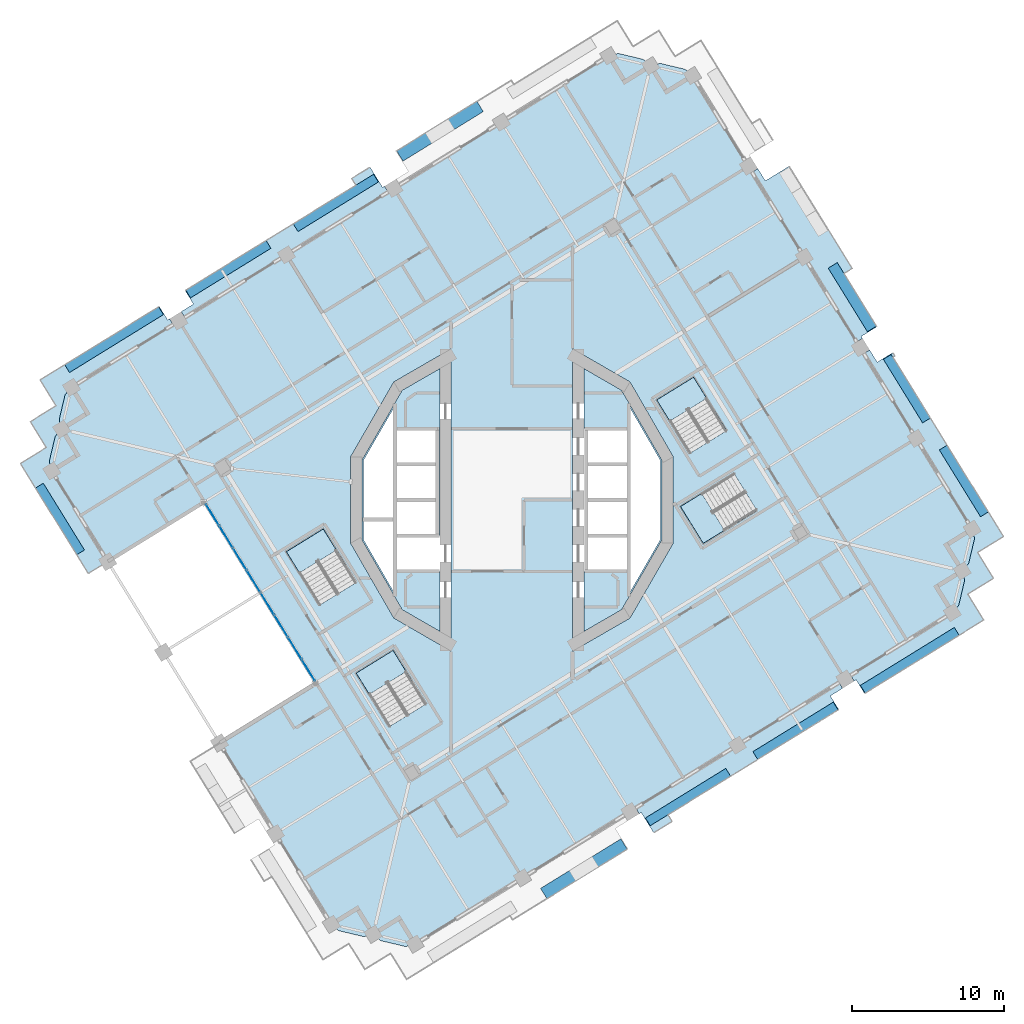
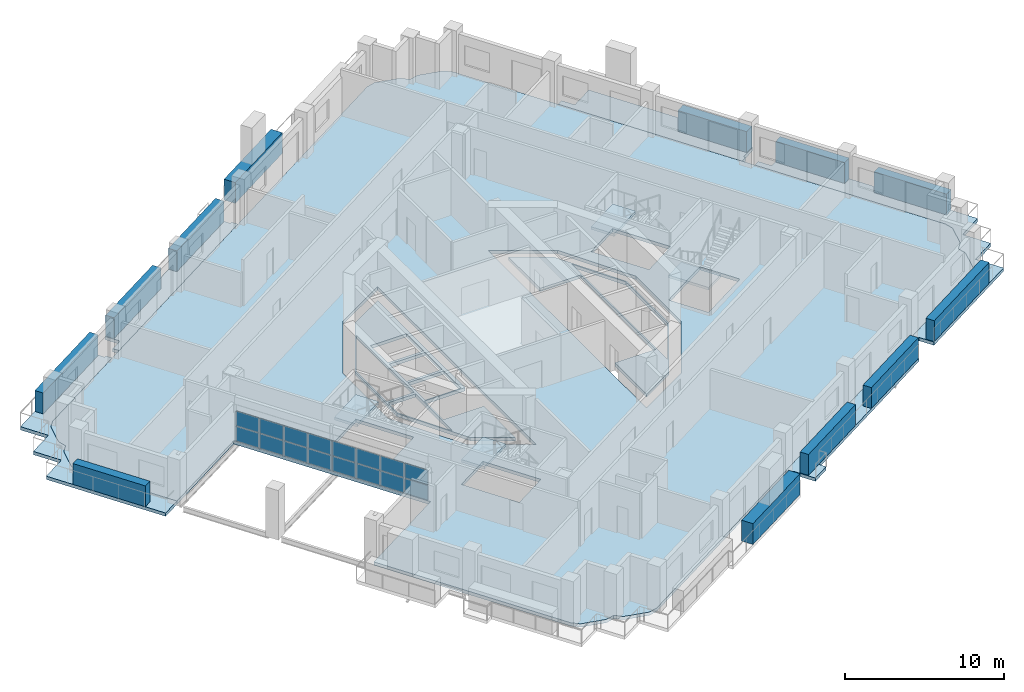
# One storey, part 4 of 20: 28 plates, 12 slabs, 5 elements without a shape of their own.
"""IFC4 building model written with IfcOpenShell, lengths in metres."""

from ifc_helpers import new_model, si_unit, direction, frame, origin, origin_2d, place, context, subcontext, project, spatial, polyline, rectangle, outline, extrude, material, layer, layer_set, type_object, element, aggregate, save


model = new_model("IFC4")

# Units and contexts
model_context = context("Model", 3, precision=1e-05, world=origin(), true_north=direction((0.0, 1.0)))
body_context = subcontext(model_context, "Body", "Model", "MODEL_VIEW")
ifc_project = project(units=[si_unit("LENGTHUNIT", "METRE"), si_unit("AREAUNIT", "SQUARE_METRE"), si_unit("VOLUMEUNIT", "CUBIC_METRE"), si_unit("PLANEANGLEUNIT", "RADIAN"), si_unit("MASSUNIT", "GRAM", prefix="KILO")], contexts=[model_context])

# Site, building, storey
site_placement = place(None, origin())
site = spatial("IfcSite", under=ifc_project, at=site_placement, CompositionType="ELEMENT")
building_placement = place(site_placement, origin())
building = spatial("IfcBuilding", under=site, at=building_placement, Name="Cantera Rosa Tower", CompositionType="ELEMENT")
storey_placement = place(building_placement, frame((0.0, 0.0, 151.39990234375)))
storey = spatial("IfcBuildingStorey", under=building, at=storey_placement, Name="L32", CompositionType="ELEMENT", Elevation=151.39990234375)

# Slabs
ifc_material_1 = material(Name="Concrete C35/45", Category="concrete")
ifc_layer_1 = layer(ifc_material_1, 0.25)
ifc_layer_set_1 = layer_set([ifc_layer_1], Name="COMPOSITE FLOOR SLAB 250 C35/45")
slab_type_1 = type_object("IfcSlabType", Name="COMPOSITE FLOOR SLAB 250 C35/45", PredefinedType="FLOOR", material=ifc_layer_set_1)
slab_1_placement = place(storey_placement, frame((0.0, 0.0, -0.25)))
element("IfcSlab", 1, at=slab_1_placement, inside=storey, type_object=slab_type_1, Name="SLAB L32 floor 1", PredefinedType="FLOOR", context=body_context, shape_type="SweptSolid", body=[
    extrude(outline(polyline([(-7.22900390625, 7.22900390625), (-4.75, 8.660400390625), (-4.75, -2.35009765625), (-7.699951171875, -2.35009765625), (-7.699951171875, -4.699951171875), (-4.75, -4.699951171875), (-4.75, -8.660400390625), (-7.22900390625, -7.22900390625), (-9.875244140625, -2.64599609375), (-9.875244140625, 2.64599609375), (-7.22900390625, 7.22900390625)]), holes=[polyline([(-7.800048828125, -1.3828125), (-9.775146484375, -1.3828125), (-9.775146484375, -2.619384765625), (-7.800048828125, -6.040283203125), (-7.800048828125, -1.3828125)]), polyline([(-7.60009765625, -0.10009765625), (-7.60009765625, -2.25), (-5.0, -2.25), (-5.0, -0.10009765625), (-7.60009765625, -0.10009765625)]), polyline([(-7.60009765625, 2.25), (-7.60009765625, 0.10009765625), (-5.0, 0.10009765625), (-5.0, 2.25), (-7.60009765625, 2.25)]), polyline([(-7.800048828125, -1.1826171875), (-7.800048828125, 6.040283203125), (-9.775146484375, 2.619384765625), (-9.775146484375, -1.1826171875), (-7.800048828125, -1.1826171875)]), polyline([(-5.0, 4.60009765625), (-7.60009765625, 4.60009765625), (-7.60009765625, 2.449951171875), (-5.0, 2.449951171875), (-5.0, 4.60009765625)])]), origin(), (0.0, 0.0, 1.0), 0.25),
])
slab_2_placement = place(storey_placement, frame((0.0, 0.0, -0.25)))
element("IfcSlab", 2, at=slab_2_placement, inside=storey, type_object=slab_type_1, Name="SLAB L32 floor 2", PredefinedType="FLOOR", context=body_context, shape_type="SweptSolid", body=[
    extrude(outline(polyline([(-8.647705078125, -29.0283203125), (-8.673828125, -29.014892578125), (-8.698486328125, -28.998779296875), (-8.721435546875, -28.98046875), (-9.14208984375, -28.60888671875), (-9.684814453125, -28.752197265625), (-9.713623046875, -28.75830078125), (-9.742919921875, -28.761474609375), (-9.772216796875, -28.76171875), (-9.801513671875, -28.75927734375), (-9.83056640625, -28.75390625), (-11.34423828125, -28.395263671875), (-11.37255859375, -28.386962890625), (-11.39990234375, -28.376220703125), (-11.426025390625, -28.362548828125), (-11.45068359375, -28.346435546875), (-11.4736328125, -28.328125), (-11.894287109375, -27.95654296875), (-12.408935546875, -27.122314453125), (-19.264892578125, -16.0068359375), (-12.881591796875, -12.069580078125), (-20.252197265625, -0.119873046875), (-26.6357421875, -4.05712890625), (-30.321044921875, 1.917724609375), (-30.46435546875, 2.460205078125), (-30.470458984375, 2.489013671875), (-30.4736328125, 2.518310546875), (-30.47412109375, 2.5478515625), (-30.4716796875, 2.5771484375), (-30.46630859375, 2.606201171875), (-30.107421875, 4.119873046875), (-30.09912109375, 4.148193359375), (-30.08837890625, 4.17529296875), (-30.07470703125, 4.20166015625), (-30.05859375, 4.226318359375), (-30.040283203125, 4.249267578125), (-29.668701171875, 4.669921875), (-29.81201171875, 5.21240234375), (-29.818115234375, 5.2412109375), (-29.8212890625, 5.2705078125), (-29.82177734375, 5.300048828125), (-29.8193359375, 5.329345703125), (-29.81396484375, 5.3583984375), (-29.455078125, 6.8720703125), (-29.447021484375, 6.900390625), (-29.43603515625, 6.927490234375), (-29.422607421875, 6.953857421875), (-29.406494140625, 6.978515625), (-29.38818359375, 7.00146484375), (-29.0166015625, 7.422119140625), (6.389892578125, 29.260986328125), (6.9326171875, 29.404296875), (6.96142578125, 29.410400390625), (6.99072265625, 29.413818359375), (7.02001953125, 29.4140625), (7.049560546875, 29.41162109375), (7.078369140625, 29.40625), (8.592041015625, 29.047607421875), (8.620361328125, 29.039306640625), (8.647705078125, 29.0283203125), (8.673828125, 29.014892578125), (8.698486328125, 28.998779296875), (8.721435546875, 28.98046875), (9.14208984375, 28.60888671875), (9.684814453125, 28.752197265625), (9.713623046875, 28.75830078125), (9.742919921875, 28.761474609375), (9.772216796875, 28.76171875), (9.801513671875, 28.75927734375), (9.83056640625, 28.75390625), (11.34423828125, 28.395263671875), (11.37255859375, 28.386962890625), (11.39990234375, 28.376220703125), (11.426025390625, 28.362548828125), (11.45068359375, 28.346435546875), (11.4736328125, 28.328125), (11.894287109375, 27.95654296875), (30.321044921875, -1.917724609375), (30.46435546875, -2.460205078125), (30.470458984375, -2.489013671875), (30.4736328125, -2.518310546875), (30.47412109375, -2.5478515625), (30.4716796875, -2.5771484375), (30.46630859375, -2.606201171875), (30.107421875, -4.119873046875), (30.09912109375, -4.148193359375), (30.08837890625, -4.17529296875), (30.07470703125, -4.20166015625), (30.05859375, -4.226318359375), (30.040283203125, -4.249267578125), (29.668701171875, -4.669921875), (29.81201171875, -5.21240234375), (29.818115234375, -5.2412109375), (29.8212890625, -5.2705078125), (29.82177734375, -5.300048828125), (29.8193359375, -5.329345703125), (29.81396484375, -5.3583984375), (29.455078125, -6.8720703125), (29.447021484375, -6.900390625), (29.43603515625, -6.927490234375), (29.422607421875, -6.953857421875), (29.406494140625, -6.978515625), (29.38818359375, -7.00146484375), (29.0166015625, -7.422119140625), (28.18212890625, -7.9365234375), (-6.389892578125, -29.260986328125), (-6.9326171875, -29.404296875), (-6.96142578125, -29.410400390625), (-6.99072265625, -29.413818359375), (-7.02001953125, -29.4140625), (-7.049560546875, -29.41162109375), (-7.078369140625, -29.40625), (-8.592041015625, -29.047607421875), (-8.620361328125, -29.039306640625), (-8.647705078125, -29.0283203125)]), holes=[polyline([(-5.658447265625, -13.433349609375), (-7.830810546875, -9.911376953125), (-10.256591796875, -11.407470703125), (-8.084228515625, -14.929443359375), (-5.658447265625, -13.433349609375)]), polyline([(-10.258544921875, -5.433349609375), (-12.430908203125, -1.911376953125), (-14.8564453125, -3.407470703125), (-12.68408203125, -6.929443359375), (-10.258544921875, -5.433349609375)]), polyline([(-7.7783203125, 7.7783203125), (-10.625244140625, 2.846923828125), (-10.625244140625, -2.846923828125), (-7.7783203125, -7.7783203125), (-4.0, -9.95947265625), (-4.0, 9.95947265625), (-7.7783203125, 7.7783203125)]), polyline([(14.63330078125, 1.741455078125), (11.111328125, -0.430908203125), (12.607421875, -2.8564453125), (16.12939453125, -0.68408203125), (14.63330078125, 1.741455078125)]), polyline([(7.7783203125, -7.7783203125), (10.625244140625, -2.846923828125), (10.625244140625, 2.846923828125), (7.7783203125, 7.7783203125), (4.0, 9.95947265625), (4.0, -9.95947265625), (7.7783203125, -7.7783203125)]), polyline([(11.7158203125, 3.070556640625), (14.1416015625, 4.566650390625), (11.96923828125, 8.088623046875), (9.54345703125, 6.592529296875), (11.7158203125, 3.070556640625)])]), origin(), (0.0, 0.0, 1.0), 0.25),
])
slab_3_placement = place(storey_placement, frame((0.0, 0.0, -0.25)))
element("IfcSlab", 3, at=slab_3_placement, inside=storey, type_object=slab_type_1, Name="SLAB L32 floor 3", PredefinedType="FLOOR", context=body_context, shape_type="SweptSolid", body=[
    extrude(outline(polyline([(7.699951171875, 0.0), (7.699951171875, 2.35009765625), (7.699951171875, 4.699951171875), (4.75, 4.699951171875), (4.75, 8.660400390625), (7.22900390625, 7.22900390625), (9.875244140625, 2.64599609375), (9.875244140625, -2.64599609375), (7.22900390625, -7.22900390625), (4.75, -8.660400390625), (4.75, -4.699951171875), (7.699951171875, -4.699951171875), (7.699951171875, -2.35009765625), (7.699951171875, 0.0)]), holes=[polyline([(9.775146484375, 2.619384765625), (7.800048828125, 6.040283203125), (7.800048828125, 2.449951171875), (7.800048828125, 2.25), (7.800048828125, -2.25), (7.800048828125, -2.449951171875), (7.800048828125, -6.040283203125), (9.775146484375, -2.619384765625), (9.775146484375, 2.619384765625)])]), origin(), (0.0, 0.0, 1.0), 0.25),
])

# Curtain wall, plates
ifc_material_2 = material(Name="Aluminium frame with clear glass", Category="aluminium")
curtain_wall_type = type_object("IfcCurtainWallType", Name="CW1 TERRACE POCKET GLAZING", PredefinedType="NOTDEFINED", material=ifc_material_2)
curtain_wall_placement = place(storey_placement, origin())
curtain_wall = element("IfcCurtainWall", 4, at=curtain_wall_placement, inside=storey, type_object=curtain_wall_type, Name="CW1 CW1", PredefinedType="NOTDEFINED")
ifc_material_3 = material(Name="Aluminium frame with clear glass", Category="aluminium")
ifc_layer_2 = layer(ifc_material_3, 0.028076171875)
ifc_layer_set_2 = layer_set([ifc_layer_2], Name="CW-PANEL POCKET")
plate_type_1 = type_object("IfcPlateType", Name="CW-PANEL POCKET", PredefinedType="CURTAIN_PANEL", material=ifc_layer_set_2)
plate_1_placement = place(storey_placement, frame((-19.726318359375, -0.97265625, 0.06005859375), z_axis=(0.0, 0.0, 1.0), x_axis=(0.52497658034, -0.851116672434, 0.0)))
plate_1 = element("IfcPlate", 5, at=plate_1_placement, type_object=plate_type_1, Name="CW1 panel 1.1", PredefinedType="CURTAIN_PANEL", context=body_context, shape_type="SweptSolid", body=[
    extrude(rectangle(XDim=1.6337890625, YDim=0.028076171875, at=origin_2d()), origin(), (0.0, 0.0, 1.0), 1.115966796875),
])
plate_2_placement = place(storey_placement, frame((-19.726318359375, -0.97265625, 1.236328125), z_axis=(0.0, 0.0, 1.0), x_axis=(0.52497658034, -0.851116672434, 0.0)))
plate_2 = element("IfcPlate", 6, at=plate_2_placement, type_object=plate_type_1, Name="CW1 panel 1.2", PredefinedType="CURTAIN_PANEL", context=body_context, shape_type="SweptSolid", body=[
    extrude(rectangle(XDim=1.6337890625, YDim=0.028076171875, at=origin_2d()), origin(), (0.0, 0.0, 1.0), 1.115966796875),
])
plate_3_placement = place(storey_placement, frame((-18.829345703125, -2.427001953125, 0.06005859375), z_axis=(0.0, 0.0, 1.0), x_axis=(0.52497658034, -0.851116672434, 0.0)))
plate_3 = element("IfcPlate", 7, at=plate_3_placement, type_object=plate_type_1, Name="CW1 panel 2.1", PredefinedType="CURTAIN_PANEL", context=body_context, shape_type="SweptSolid", body=[
    extrude(rectangle(XDim=1.663818359375, YDim=0.028076171875, at=origin_2d()), origin(), (0.0, 0.0, 1.0), 1.115966796875),
])
plate_4_placement = place(storey_placement, frame((-18.829345703125, -2.427001953125, 1.236328125), z_axis=(0.0, 0.0, 1.0), x_axis=(0.52497658034, -0.851116672434, 0.0)))
plate_4 = element("IfcPlate", 8, at=plate_4_placement, type_object=plate_type_1, Name="CW1 panel 2.2", PredefinedType="CURTAIN_PANEL", context=body_context, shape_type="SweptSolid", body=[
    extrude(rectangle(XDim=1.663818359375, YDim=0.028076171875, at=origin_2d()), origin(), (0.0, 0.0, 1.0), 1.115966796875),
])
plate_5_placement = place(storey_placement, frame((-17.92431640625, -3.89404296875, 0.06005859375), z_axis=(0.0, 0.0, 1.0), x_axis=(0.52497658034, -0.851116672434, 0.0)))
plate_5 = element("IfcPlate", 9, at=plate_5_placement, type_object=plate_type_1, Name="CW1 panel 3.1", PredefinedType="CURTAIN_PANEL", context=body_context, shape_type="SweptSolid", body=[
    extrude(rectangle(XDim=1.663818359375, YDim=0.028076171875, at=origin_2d()), origin(), (0.0, 0.0, 1.0), 1.115966796875),
])
plate_6_placement = place(storey_placement, frame((-17.92431640625, -3.89404296875, 1.236328125), z_axis=(0.0, 0.0, 1.0), x_axis=(0.52497658034, -0.851116672434, 0.0)))
plate_6 = element("IfcPlate", 10, at=plate_6_placement, type_object=plate_type_1, Name="CW1 panel 3.2", PredefinedType="CURTAIN_PANEL", context=body_context, shape_type="SweptSolid", body=[
    extrude(rectangle(XDim=1.663818359375, YDim=0.028076171875, at=origin_2d()), origin(), (0.0, 0.0, 1.0), 1.115966796875),
])
plate_7_placement = place(storey_placement, frame((-17.01953125, -5.361083984375, 0.06005859375), z_axis=(0.0, 0.0, 1.0), x_axis=(0.52497658034, -0.851116672434, 0.0)))
plate_7 = element("IfcPlate", 11, at=plate_7_placement, type_object=plate_type_1, Name="CW1 panel 4.1", PredefinedType="CURTAIN_PANEL", context=body_context, shape_type="SweptSolid", body=[
    extrude(rectangle(XDim=1.663818359375, YDim=0.028076171875, at=origin_2d()), origin(), (0.0, 0.0, 1.0), 1.115966796875),
])
plate_8_placement = place(storey_placement, frame((-17.01953125, -5.361083984375, 1.236328125), z_axis=(0.0, 0.0, 1.0), x_axis=(0.52497658034, -0.851116672434, 0.0)))
plate_8 = element("IfcPlate", 12, at=plate_8_placement, type_object=plate_type_1, Name="CW1 panel 4.2", PredefinedType="CURTAIN_PANEL", context=body_context, shape_type="SweptSolid", body=[
    extrude(rectangle(XDim=1.663818359375, YDim=0.028076171875, at=origin_2d()), origin(), (0.0, 0.0, 1.0), 1.115966796875),
])
plate_9_placement = place(storey_placement, frame((-16.114501953125, -6.828125, 0.06005859375), z_axis=(0.0, 0.0, 1.0), x_axis=(0.52497658034, -0.851116672434, 0.0)))
plate_9 = element("IfcPlate", 13, at=plate_9_placement, type_object=plate_type_1, Name="CW1 panel 5.1", PredefinedType="CURTAIN_PANEL", context=body_context, shape_type="SweptSolid", body=[
    extrude(rectangle(XDim=1.663818359375, YDim=0.028076171875, at=origin_2d()), origin(), (0.0, 0.0, 1.0), 1.115966796875),
])
plate_10_placement = place(storey_placement, frame((-16.114501953125, -6.828125, 1.236328125), z_axis=(0.0, 0.0, 1.0), x_axis=(0.52497658034, -0.851116672434, 0.0)))
plate_10 = element("IfcPlate", 14, at=plate_10_placement, type_object=plate_type_1, Name="CW1 panel 5.2", PredefinedType="CURTAIN_PANEL", context=body_context, shape_type="SweptSolid", body=[
    extrude(rectangle(XDim=1.663818359375, YDim=0.028076171875, at=origin_2d()), origin(), (0.0, 0.0, 1.0), 1.115966796875),
])
plate_11_placement = place(storey_placement, frame((-15.20947265625, -8.29541015625, 0.06005859375), z_axis=(0.0, 0.0, 1.0), x_axis=(0.52497658034, -0.851116672434, 0.0)))
plate_11 = element("IfcPlate", 15, at=plate_11_placement, type_object=plate_type_1, Name="CW1 panel 6.1", PredefinedType="CURTAIN_PANEL", context=body_context, shape_type="SweptSolid", body=[
    extrude(rectangle(XDim=1.663818359375, YDim=0.028076171875, at=origin_2d()), origin(), (0.0, 0.0, 1.0), 1.115966796875),
])
plate_12_placement = place(storey_placement, frame((-15.20947265625, -8.29541015625, 1.236328125), z_axis=(0.0, 0.0, 1.0), x_axis=(0.52497658034, -0.851116672434, 0.0)))
plate_12 = element("IfcPlate", 16, at=plate_12_placement, type_object=plate_type_1, Name="CW1 panel 6.2", PredefinedType="CURTAIN_PANEL", context=body_context, shape_type="SweptSolid", body=[
    extrude(rectangle(XDim=1.663818359375, YDim=0.028076171875, at=origin_2d()), origin(), (0.0, 0.0, 1.0), 1.115966796875),
])
plate_13_placement = place(storey_placement, frame((-14.3046875, -9.762451171875, 0.06005859375), z_axis=(0.0, 0.0, 1.0), x_axis=(0.52497658034, -0.851116672434, 0.0)))
plate_13 = element("IfcPlate", 17, at=plate_13_placement, type_object=plate_type_1, Name="CW1 panel 7.1", PredefinedType="CURTAIN_PANEL", context=body_context, shape_type="SweptSolid", body=[
    extrude(rectangle(XDim=1.663818359375, YDim=0.028076171875, at=origin_2d()), origin(), (0.0, 0.0, 1.0), 1.115966796875),
])
plate_14_placement = place(storey_placement, frame((-14.3046875, -9.762451171875, 1.236328125), z_axis=(0.0, 0.0, 1.0), x_axis=(0.52497658034, -0.851116672434, 0.0)))
plate_14 = element("IfcPlate", 18, at=plate_14_placement, type_object=plate_type_1, Name="CW1 panel 7.2", PredefinedType="CURTAIN_PANEL", context=body_context, shape_type="SweptSolid", body=[
    extrude(rectangle(XDim=1.663818359375, YDim=0.028076171875, at=origin_2d()), origin(), (0.0, 0.0, 1.0), 1.115966796875),
])
plate_15_placement = place(storey_placement, frame((-13.40771484375, -11.216796875, 0.06005859375), z_axis=(0.0, 0.0, 1.0), x_axis=(0.52497658034, -0.851116672434, 0.0)))
plate_15 = element("IfcPlate", 19, at=plate_15_placement, type_object=plate_type_1, Name="CW1 panel 8.1", PredefinedType="CURTAIN_PANEL", context=body_context, shape_type="SweptSolid", body=[
    extrude(rectangle(XDim=1.6337890625, YDim=0.028076171875, at=origin_2d()), origin(), (0.0, 0.0, 1.0), 1.115966796875),
])
plate_16_placement = place(storey_placement, frame((-13.40771484375, -11.216796875, 1.236328125), z_axis=(0.0, 0.0, 1.0), x_axis=(0.52497658034, -0.851116672434, 0.0)))
plate_16 = element("IfcPlate", 20, at=plate_16_placement, type_object=plate_type_1, Name="CW1 panel 8.2", PredefinedType="CURTAIN_PANEL", context=body_context, shape_type="SweptSolid", body=[
    extrude(rectangle(XDim=1.6337890625, YDim=0.028076171875, at=origin_2d()), origin(), (0.0, 0.0, 1.0), 1.115966796875),
])
aggregate(curtain_wall, [plate_1, plate_2, plate_3, plate_4, plate_5, plate_6, plate_7, plate_8, plate_9, plate_10, plate_11, plate_12, plate_13, plate_14, plate_15, plate_16])

# Slabs
ifc_material_4 = material(Name="Concrete C35/45", Category="concrete")
ifc_layer_3 = layer(ifc_material_4, 0.25)
ifc_layer_set_3 = layer_set([ifc_layer_3], Name="LOGGIA SLAB 250 C35/45")
slab_type_2 = type_object("IfcSlabType", Name="LOGGIA SLAB 250 C35/45", PredefinedType="FLOOR", material=ifc_layer_set_3)
slab_4_placement = place(storey_placement, frame((0.0, 0.0, -0.25)))
element("IfcSlab", 21, at=slab_4_placement, inside=storey, type_object=slab_type_2, Name="LOGGIA SLAB L32 1", PredefinedType="FLOOR", context=body_context, shape_type="SweptSolid", body=[
    extrude(outline(polyline([(-31.59765625, 1.130126953125), (-32.38525390625, 2.406982421875), (-31.1083984375, 3.1943359375), (-30.682861328125, 3.456787109375), (-30.9453125, 3.88232421875), (-31.73291015625, 5.1591796875), (-30.456298828125, 5.946533203125), (-30.03076171875, 6.208984375), (-30.293212890625, 6.634521484375), (-31.08056640625, 7.911376953125), (-29.803955078125, 8.69873046875), (-23.999267578125, 12.279052734375), (-23.2333984375, 12.75146484375), (-22.68212890625, 11.85791015625), (-22.554443359375, 11.9365234375), (-22.318115234375, 11.5537109375), (-29.0166015625, 7.422119140625), (-29.38818359375, 7.00146484375), (-29.406494140625, 6.978515625), (-29.422607421875, 6.953857421875), (-29.43603515625, 6.927490234375), (-29.447021484375, 6.900390625), (-29.455078125, 6.8720703125), (-29.81396484375, 5.3583984375), (-29.8193359375, 5.329345703125), (-29.82177734375, 5.300048828125), (-29.8212890625, 5.2705078125), (-29.818115234375, 5.2412109375), (-29.81201171875, 5.21240234375), (-29.668701171875, 4.669921875), (-30.040283203125, 4.249267578125), (-30.05859375, 4.226318359375), (-30.07470703125, 4.20166015625), (-30.08837890625, 4.17529296875), (-30.09912109375, 4.148193359375), (-30.107421875, 4.119873046875), (-30.46630859375, 2.606201171875), (-30.4716796875, 2.5771484375), (-30.47412109375, 2.5478515625), (-30.4736328125, 2.518310546875), (-30.470458984375, 2.489013671875), (-30.46435546875, 2.460205078125), (-30.321044921875, 1.917724609375), (-26.6357421875, -4.05712890625), (-27.912353515625, -4.844482421875), (-28.69970703125, -3.568115234375), (-31.59765625, 1.130126953125)])), origin(), (0.0, 0.0, 1.0), 0.25),
])
slab_5_placement = place(storey_placement, frame((0.0, 0.0, -0.25)))
element("IfcSlab", 22, at=slab_5_placement, inside=storey, type_object=slab_type_2, Name="LOGGIA SLAB L32 3", PredefinedType="FLOOR", context=body_context, shape_type="SweptSolid", body=[
    extrude(outline(polyline([(-14.36474609375, 18.2216796875), (-10.279541015625, 20.741455078125), (-10.552734375, 21.184326171875), (-9.343994140625, 21.929931640625), (-8.51953125, 20.593505859375), (-8.391845703125, 20.672119140625), (-8.155517578125, 20.289306640625), (-21.55224609375, 12.026123046875), (-21.788330078125, 12.4091796875), (-20.97998046875, 12.90771484375), (-21.531005859375, 13.801513671875), (-21.446044921875, 13.85400390625), (-16.91796875, 16.64697265625), (-14.36474609375, 18.2216796875)])), origin(), (0.0, 0.0, 1.0), 0.25),
])
slab_6_placement = place(storey_placement, frame((0.0, 0.0, -0.25)))
element("IfcSlab", 23, at=slab_6_placement, inside=storey, type_object=slab_type_2, Name="LOGGIA SLAB L32 6", PredefinedType="FLOOR", context=body_context, shape_type="SweptSolid", body=[
    extrude(outline(polyline([(8.51953125, -20.593505859375), (8.391845703125, -20.672119140625), (8.155517578125, -20.289306640625), (21.55224609375, -12.026123046875), (21.788330078125, -12.4091796875), (20.97998046875, -12.90771484375), (21.531005859375, -13.801513671875), (21.446044921875, -13.85400390625), (16.91796875, -16.64697265625), (14.36474609375, -18.2216796875), (10.279541015625, -20.741455078125), (10.552734375, -21.184326171875), (9.343994140625, -21.929931640625), (8.51953125, -20.593505859375)])), origin(), (0.0, 0.0, 1.0), 0.25),
])
slab_7_placement = place(storey_placement, frame((0.0, 0.0, -0.25)))
element("IfcSlab", 24, at=slab_7_placement, inside=storey, type_object=slab_type_2, Name="LOGGIA SLAB L32 7", PredefinedType="FLOOR", context=body_context, shape_type="SweptSolid", body=[
    extrude(outline(polyline([(24.04541015625, 11.41259765625), (23.018310546875, 10.77880859375), (23.09716796875, 10.651123046875), (22.714111328125, 10.4150390625), (15.81591796875, 21.5986328125), (16.198974609375, 21.8349609375), (16.69775390625, 21.0263671875), (18.265380859375, 21.993408203125), (22.4189453125, 15.25927734375), (21.87841796875, 14.92578125), (24.04541015625, 11.41259765625)])), origin(), (0.0, 0.0, 1.0), 0.25),
])
slab_8_placement = place(storey_placement, frame((0.0, 0.0, -0.25)))
element("IfcSlab", 25, at=slab_8_placement, inside=storey, type_object=slab_type_2, Name="LOGGIA SLAB L32 8", PredefinedType="FLOOR", context=body_context, shape_type="SweptSolid", body=[
    extrude(outline(polyline([(27.125, 6.121337890625), (28.69970703125, 3.568115234375), (31.59765625, -1.130126953125), (32.38525390625, -2.406982421875), (31.1083984375, -3.1943359375), (30.682861328125, -3.456787109375), (30.9453125, -3.88232421875), (31.73291015625, -5.1591796875), (30.456298828125, -5.946533203125), (30.03076171875, -6.208984375), (30.293212890625, -6.634521484375), (31.08056640625, -7.911376953125), (29.803955078125, -8.69873046875), (23.999267578125, -12.279052734375), (23.2333984375, -12.75146484375), (22.68212890625, -11.85791015625), (22.554443359375, -11.9365234375), (22.318115234375, -11.5537109375), (28.18212890625, -7.9365234375), (29.0166015625, -7.422119140625), (29.38818359375, -7.00146484375), (29.406494140625, -6.978515625), (29.422607421875, -6.953857421875), (29.43603515625, -6.927490234375), (29.447021484375, -6.900390625), (29.455078125, -6.8720703125), (29.81396484375, -5.3583984375), (29.8193359375, -5.329345703125), (29.82177734375, -5.300048828125), (29.8212890625, -5.2705078125), (29.818115234375, -5.2412109375), (29.81201171875, -5.21240234375), (29.668701171875, -4.669921875), (30.040283203125, -4.249267578125), (30.05859375, -4.226318359375), (30.07470703125, -4.20166015625), (30.08837890625, -4.17529296875), (30.09912109375, -4.148193359375), (30.107421875, -4.119873046875), (30.46630859375, -2.606201171875), (30.4716796875, -2.5771484375), (30.47412109375, -2.5478515625), (30.4736328125, -2.518310546875), (30.470458984375, -2.489013671875), (30.46435546875, -2.460205078125), (30.321044921875, -1.917724609375), (23.1865234375, 9.64892578125), (23.569580078125, 9.88525390625), (24.068359375, 9.07666015625), (25.095458984375, 9.710205078125), (25.230224609375, 9.49169921875), (25.0966796875, 9.4091796875), (27.125, 6.121337890625)])), origin(), (0.0, 0.0, 1.0), 0.25),
])

# Plates
ifc_material_5 = material(Name="Cantera stone planter with soil", Category="masonry")
plate_type_2 = type_object("IfcPlateType", Name="PLANTER 600", PredefinedType="USERDEFINED", material=ifc_material_5)
plate_17_placement = place(storey_placement, frame((29.775390625, 1.2529296875, 0.0), z_axis=(0.0, 0.0, 1.0), x_axis=(-0.52497658034, 0.851116672434, 0.0)))
element("IfcPlate", 26, at=plate_17_placement, inside=storey, type_object=plate_type_2, Name="PLANTER L32-01", ObjectType="PLANTER", PredefinedType="USERDEFINED", context=body_context, shape_type="SweptSolid", body=[
    extrude(rectangle(XDim=5.169921875, YDim=0.60009765625, at=origin_2d()), origin(), (0.0, 0.0, 1.0), 1.60009765625),
])
plate_18_placement = place(storey_placement, frame((26.0244140625, 7.333984375, 0.0), z_axis=(0.0, 0.0, 1.0), x_axis=(-0.52497658034, 0.851116672434, 0.0)))
element("IfcPlate", 27, at=plate_18_placement, inside=storey, type_object=plate_type_2, Name="PLANTER L32-02", ObjectType="PLANTER", PredefinedType="USERDEFINED", context=body_context, shape_type="SweptSolid", body=[
    extrude(rectangle(XDim=4.919921875, YDim=0.60009765625, at=origin_2d()), origin(), (0.0, 0.0, 1.0), 1.60009765625),
])
for number, where, z_axis, x_axis, name in (
    (28, (-11.602783203125, 19.572998046875, 0.0), (0.0, 0.0, 1.0), (-0.851116672434, -0.52497658034, 0.0), "PLANTER L32-08"),
    (29, (-18.68408203125, 15.205078125, 0.0), (0.0, 0.0, 1.0), (-0.851116672434, -0.52497658034, 0.0), "PLANTER L32-09"),
):
    element("IfcPlate", number, at=place(storey_placement, frame(where, z_axis=z_axis, x_axis=x_axis)), inside=storey, type_object=plate_type_2, Name=name, ObjectType="PLANTER", PredefinedType="USERDEFINED", context=body_context, shape_type="SweptSolid", body=[
        extrude(rectangle(XDim=6.219970703125, YDim=0.60009765625, at=origin_2d()), origin(), (0.0, 0.0, 1.0), 1.60009765625),
    ])
plate_19_placement = place(storey_placement, frame((-26.212158203125, 10.561767578125, 0.0), z_axis=(0.0, 0.0, 1.0), x_axis=(-0.851116672434, -0.52497658034, 0.0)))
element("IfcPlate", 30, at=plate_19_placement, inside=storey, type_object=plate_type_2, Name="PLANTER L32-10", ObjectType="PLANTER", PredefinedType="USERDEFINED", context=body_context, shape_type="SweptSolid", body=[
    extrude(rectangle(XDim=7.27001953125, YDim=0.60009765625, at=origin_2d()), origin(), (0.0, 0.0, 1.0), 1.60009765625),
])
plate_20_placement = place(storey_placement, frame((-29.775390625, -1.2529296875, 0.0), z_axis=(0.0, 0.0, 1.0), x_axis=(0.52497658034, -0.851116672434, 0.0)))
element("IfcPlate", 31, at=plate_20_placement, inside=storey, type_object=plate_type_2, Name="PLANTER L32-11", ObjectType="PLANTER", PredefinedType="USERDEFINED", context=body_context, shape_type="SweptSolid", body=[
    extrude(rectangle(XDim=5.169921875, YDim=0.60009765625, at=origin_2d()), origin(), (0.0, 0.0, 1.0), 1.60009765625),
])
for number, where, z_axis, x_axis, name in (
    (32, (11.602783203125, -19.572998046875, 0.0), (0.0, 0.0, 1.0), (0.851116672434, 0.52497658034, 0.0), "PLANTER L32-18"),
    (33, (18.68408203125, -15.205078125, 0.0), (0.0, 0.0, 1.0), (0.851116672434, 0.52497658034, 0.0), "PLANTER L32-19"),
):
    element("IfcPlate", number, at=place(storey_placement, frame(where, z_axis=z_axis, x_axis=x_axis)), inside=storey, type_object=plate_type_2, Name=name, ObjectType="PLANTER", PredefinedType="USERDEFINED", context=body_context, shape_type="SweptSolid", body=[
        extrude(rectangle(XDim=6.219970703125, YDim=0.60009765625, at=origin_2d()), origin(), (0.0, 0.0, 1.0), 1.60009765625),
    ])
plate_21_placement = place(storey_placement, frame((26.212158203125, -10.561767578125, 0.0), z_axis=(0.0, 0.0, 1.0), x_axis=(0.851116672434, 0.52497658034, 0.0)))
element("IfcPlate", 34, at=plate_21_placement, inside=storey, type_object=plate_type_2, Name="PLANTER L32-20", ObjectType="PLANTER", PredefinedType="USERDEFINED", context=body_context, shape_type="SweptSolid", body=[
    extrude(rectangle(XDim=7.27001953125, YDim=0.60009765625, at=origin_2d()), origin(), (0.0, 0.0, 1.0), 1.60009765625),
])
ifc_material_6 = material(Name="Cantera stone planter with soil", Category="masonry")
plate_type_3 = type_object("IfcPlateType", Name="PLANTER 700", PredefinedType="USERDEFINED", material=ifc_material_6)
plate_22_placement = place(storey_placement, frame((22.429931640625, 13.364990234375, 0.0), z_axis=(0.0, 0.0, 1.0), x_axis=(-0.52497658034, 0.851116672434, 0.0)))
element("IfcPlate", 35, at=plate_22_placement, inside=storey, type_object=plate_type_3, Name="PLANTER L32-03", ObjectType="PLANTER", PredefinedType="USERDEFINED", context=body_context, shape_type="SweptSolid", body=[
    extrude(rectangle(XDim=4.919921875, YDim=0.699951171875, at=origin_2d()), origin(), (0.0, 0.0, 1.0), 1.60009765625),
])
ifc_material_7 = material(Name="Cantera stone planter with soil", Category="masonry")
plate_type_4 = type_object("IfcPlateType", Name="PLANTER 800", PredefinedType="USERDEFINED", material=ifc_material_7)
for number, where, z_axis, x_axis, name in (
    (36, (-4.7421875, 24.29833984375, 0.0), (0.0, 0.0, 1.0), (-0.851116672434, -0.52497658034, 0.0), "PLANTER L32-07"),
    (37, (4.7421875, -24.29833984375, 0.0), (0.0, 0.0, 1.0), (0.851116672434, 0.52497658034, 0.0), "PLANTER L32-17"),
):
    element("IfcPlate", number, at=place(storey_placement, frame(where, z_axis=z_axis, x_axis=x_axis)), inside=storey, type_object=plate_type_4, Name=name, ObjectType="PLANTER", PredefinedType="USERDEFINED", context=body_context, shape_type="SweptSolid", body=[
        extrude(rectangle(XDim=6.219970703125, YDim=0.800048828125, at=origin_2d()), origin(), (0.0, 0.0, 1.0), 1.60009765625),
    ])

# Stair, slab
ifc_material_8 = material(Name="Concrete C35/45", Category="concrete")
stair_type = type_object("IfcStairType", Name="EXIT STAIR 1350 DOGLEG", PredefinedType="HALF_TURN_STAIR", material=ifc_material_8)
stair_1_placement = place(storey_placement, origin())
stair_1 = element("IfcStair", 38, at=stair_1_placement, inside=storey, type_object=stair_type, Name="L32 ST-31", PredefinedType="HALF_TURN_STAIR")
ifc_material_9 = material(Name="Concrete C35/45", Category="concrete")
ifc_layer_4 = layer(ifc_material_9, 0.199951171875)
ifc_layer_set_4 = layer_set([ifc_layer_4], Name="STAIR LANDING 200")
slab_type_3 = type_object("IfcSlabType", Name="STAIR LANDING 200", PredefinedType="LANDING", material=ifc_layer_set_4)
slab_9_placement = place(storey_placement, frame((0.0, 0.0, 1.7001953125)))
slab_9 = element("IfcSlab", 39, at=slab_9_placement, type_object=slab_type_3, Name="ST-31 landing 1", PredefinedType="LANDING", context=body_context, shape_type="SweptSolid", body=[
    extrude(outline(polyline([(12.8310546875, 6.691162109375), (11.96923828125, 8.088623046875), (9.54345703125, 6.592529296875), (10.405517578125, 5.19482421875), (12.8310546875, 6.691162109375)])), origin(), (0.0, 0.0, 1.0), 0.199951171875),
])
aggregate(stair_1, [slab_9])

stair_2_placement = place(storey_placement, origin())
stair_2 = element("IfcStair", 40, at=stair_2_placement, inside=storey, type_object=stair_type, Name="L32 ST-32", PredefinedType="HALF_TURN_STAIR")
slab_10_placement = place(storey_placement, frame((0.0, 0.0, 1.7001953125)))
slab_10 = element("IfcSlab", 41, at=slab_10_placement, type_object=slab_type_3, Name="ST-32 landing 1", PredefinedType="LANDING", context=body_context, shape_type="SweptSolid", body=[
    extrude(outline(polyline([(-11.56884765625, -3.308837890625), (-12.430908203125, -1.911376953125), (-14.8564453125, -3.407470703125), (-13.99462890625, -4.80517578125), (-11.56884765625, -3.308837890625)])), origin(), (0.0, 0.0, 1.0), 0.199951171875),
])
aggregate(stair_2, [slab_10])

stair_3_placement = place(storey_placement, origin())
stair_3 = element("IfcStair", 42, at=stair_3_placement, inside=storey, type_object=stair_type, Name="L32 ST-33", PredefinedType="HALF_TURN_STAIR")
slab_11_placement = place(storey_placement, frame((0.0, 0.0, 1.7001953125)))
slab_11 = element("IfcSlab", 43, at=slab_11_placement, type_object=slab_type_3, Name="ST-33 landing 1", PredefinedType="LANDING", context=body_context, shape_type="SweptSolid", body=[
    extrude(outline(polyline([(-6.96875, -11.308837890625), (-7.830810546875, -9.911376953125), (-10.256591796875, -11.407470703125), (-9.39453125, -12.80517578125), (-6.96875, -11.308837890625)])), origin(), (0.0, 0.0, 1.0), 0.199951171875),
])
aggregate(stair_3, [slab_11])

stair_4_placement = place(storey_placement, origin())
stair_4 = element("IfcStair", 44, at=stair_4_placement, inside=storey, type_object=stair_type, Name="L32 ST-34", PredefinedType="HALF_TURN_STAIR")
slab_12_placement = place(storey_placement, frame((0.0, 0.0, 1.7001953125)))
slab_12 = element("IfcSlab", 45, at=slab_12_placement, type_object=slab_type_3, Name="ST-34 landing 1", PredefinedType="LANDING", context=body_context, shape_type="SweptSolid", body=[
    extrude(outline(polyline([(12.5087890625, 0.43115234375), (11.111328125, -0.430908203125), (12.607421875, -2.8564453125), (14.005126953125, -1.99462890625), (12.5087890625, 0.43115234375)])), origin(), (0.0, 0.0, 1.0), 0.199951171875),
])
aggregate(stair_4, [slab_12])

save(model, "model.ifc")
